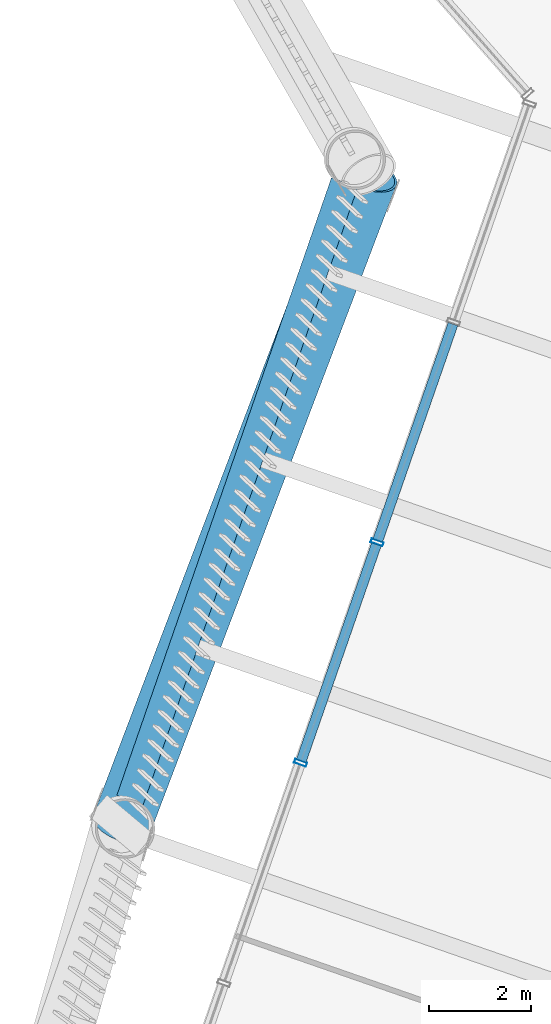
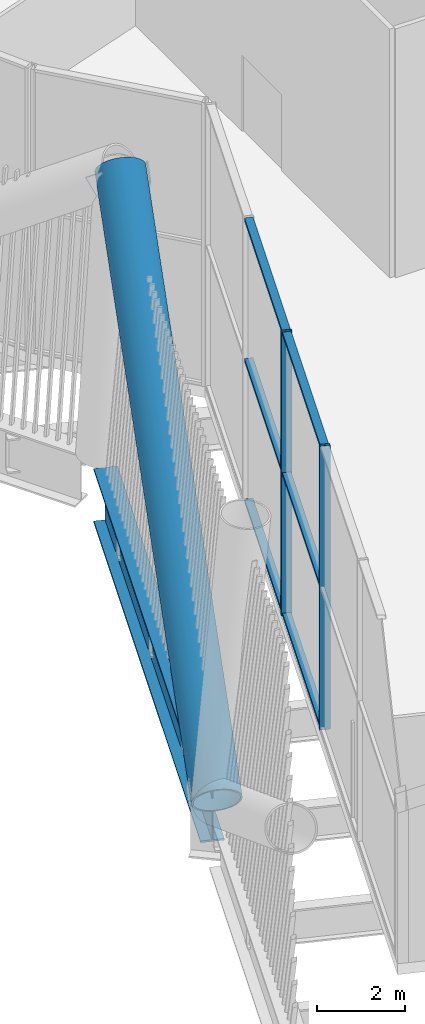
# One storey, part 3 of 63: 9 members, 1 beam, 1 element without a shape of its own.
"""IFC4 building model written with IfcOpenShell, lengths in metres."""

from ifc_helpers import new_model, si_unit, direction, frame, origin, origin_2d, place, context, subcontext, project, spatial, hollow_rectangle, hollow_circle, i_section, extrude, material, layer, layer_set, material_profile, profile_set, type_object, element, aggregate, save


model = new_model("IFC4")

# Units and contexts
model_context = context("Model", 3, precision=1e-05, world=origin(), true_north=direction((0.0, 1.0)))
body_context = subcontext(model_context, "Body", "Model", "MODEL_VIEW")
ifc_project = project(units=[si_unit("LENGTHUNIT", "METRE"), si_unit("AREAUNIT", "SQUARE_METRE"), si_unit("VOLUMEUNIT", "CUBIC_METRE"), si_unit("PLANEANGLEUNIT", "RADIAN"), si_unit("MASSUNIT", "GRAM", prefix="KILO")], contexts=[model_context])

# Site, building, storey
site_placement = place(None, origin())
site = spatial("IfcSite", under=ifc_project, at=site_placement, CompositionType="ELEMENT")
building_placement = place(site_placement, origin())
building = spatial("IfcBuilding", under=site, at=building_placement, Name="Tarsis Ring Headquarters", CompositionType="ELEMENT")
storey_placement = place(building_placement, frame((0.0, 0.0, 139.60009765625)))
storey = spatial("IfcBuildingStorey", under=building, at=storey_placement, Name="L32", CompositionType="ELEMENT", Elevation=139.60009765625)

# Curtain wall, members
ifc_material_1 = material(Name="Aluminium curtain wall", Category="aluminium")
ifc_layer = layer(ifc_material_1, 0.25)
ifc_layer_set = layer_set([ifc_layer], Name="Curtain wall sky lobby")
curtain_wall_type = type_object("IfcCurtainWallType", Name="Curtain wall sky lobby", PredefinedType="NOTDEFINED", material=ifc_layer_set)
curtain_wall_placement = place(storey_placement, origin())
curtain_wall = element("IfcCurtainWall", 1, at=curtain_wall_placement, inside=storey, type_object=curtain_wall_type, Name="Curtain wall L32-06", PredefinedType="NOTDEFINED")
ifc_material_2 = material(Name="Aluminium mullion", Category="aluminium")
ifc_material_profile_1 = material_profile(ifc_material_2, hollow_rectangle(XDim=0.25, YDim=0.080078125, WallThickness=0.0048828125, at=origin_2d()), Name="RHS 250x80x5")
ifc_profile_set_1 = profile_set([ifc_material_profile_1], Name="Aluminium mullion")
member_type_1 = type_object("IfcMemberType", Name="Curtain wall mullion sky lobby RHS 250x80x5", PredefinedType="MULLION", material=ifc_profile_set_1)
member_1_placement = place(storey_placement, frame((-21.71875, -26.326904296875, 0.0), z_axis=(0.0, 0.0, 1.0), x_axis=(0.94460574229, -0.328207238848, 0.0)))
member_1 = element("IfcMember", 2, at=member_1_placement, type_object=member_type_1, Name="CW-S mullion 3", PredefinedType="MULLION", context=body_context, shape_type="SweptSolid", body=[
    extrude(hollow_rectangle(XDim=0.25, YDim=0.080078125, WallThickness=0.0048828125, at=origin_2d()), origin(), (0.0, 0.0, 1.0), 7.83984375),
])
member_2_placement = place(storey_placement, frame((-23.223388671875, -30.657470703125, 0.0), z_axis=(0.0, 0.0, 1.0), x_axis=(0.94460574229, -0.328207238848, 0.0)))
member_2 = element("IfcMember", 3, at=member_2_placement, type_object=member_type_1, Name="CW-S mullion 4", PredefinedType="MULLION", context=body_context, shape_type="SweptSolid", body=[
    extrude(hollow_rectangle(XDim=0.25, YDim=0.080078125, WallThickness=0.0048828125, at=origin_2d()), origin(), (0.0, 0.0, 1.0), 7.83984375),
])
ifc_material_3 = material(Name="Aluminium transom", Category="aluminium")
ifc_material_profile_2 = material_profile(ifc_material_3, hollow_rectangle(XDim=0.199951171875, YDim=0.080078125, WallThickness=0.0048828125, at=origin_2d()), Name="RHS 200x80x5")
ifc_profile_set_2 = profile_set([ifc_material_profile_2], Name="Aluminium transom")
member_type_2 = type_object("IfcMemberType", Name="Curtain wall transom sky lobby RHS 200x80x5", PredefinedType="USERDEFINED", material=ifc_profile_set_2)
member_3_placement = place(storey_placement, frame((-20.227294921875, -22.0341796875, 0.039794921875), z_axis=(-0.328186350353, -0.944612999827, 0.0), x_axis=(0.944612999827, -0.328186350353, 0.0)))
member_3 = element("IfcMember", 4, at=member_3_placement, type_object=member_type_2, Name="CW-S transom 2.1", ObjectType="TRANSOM", PredefinedType="USERDEFINED", context=body_context, shape_type="SweptSolid", body=[
    extrude(hollow_rectangle(XDim=0.199951171875, YDim=0.080078125, WallThickness=0.0048828125, at=origin_2d()), origin(), (0.0, 0.0, 1.0), 4.50439453125),
])
member_4_placement = place(storey_placement, frame((-20.227294921875, -22.0341796875, 3.919921875), z_axis=(-0.328186350353, -0.944612999827, 0.0), x_axis=(0.944612999827, -0.328186350353, 0.0)))
member_4 = element("IfcMember", 5, at=member_4_placement, type_object=member_type_2, Name="CW-S transom 2.2", ObjectType="TRANSOM", PredefinedType="USERDEFINED", context=body_context, shape_type="SweptSolid", body=[
    extrude(hollow_rectangle(XDim=0.199951171875, YDim=0.080078125, WallThickness=0.0048828125, at=origin_2d()), origin(), (0.0, 0.0, 1.0), 4.50439453125),
])
member_5_placement = place(storey_placement, frame((-20.227294921875, -22.0341796875, 7.7998046875), z_axis=(-0.328186350353, -0.944612999827, 0.0), x_axis=(0.944612999827, -0.328186350353, 0.0)))
member_5 = element("IfcMember", 6, at=member_5_placement, type_object=member_type_2, Name="CW-S transom 2.3", ObjectType="TRANSOM", PredefinedType="USERDEFINED", context=body_context, shape_type="SweptSolid", body=[
    extrude(hollow_rectangle(XDim=0.199951171875, YDim=0.080078125, WallThickness=0.0048828125, at=origin_2d()), origin(), (0.0, 0.0, 1.0), 4.50439453125),
])
member_6_placement = place(storey_placement, frame((-21.73193359375, -26.36474609375, 0.039794921875), z_axis=(-0.328186350353, -0.944612999827, 0.0), x_axis=(0.944612999827, -0.328186350353, 0.0)))
member_6 = element("IfcMember", 7, at=member_6_placement, type_object=member_type_2, Name="CW-S transom 3.1", ObjectType="TRANSOM", PredefinedType="USERDEFINED", context=body_context, shape_type="SweptSolid", body=[
    extrude(hollow_rectangle(XDim=0.199951171875, YDim=0.080078125, WallThickness=0.0048828125, at=origin_2d()), origin(), (0.0, 0.0, 1.0), 4.50439453125),
])
member_7_placement = place(storey_placement, frame((-21.73193359375, -26.36474609375, 3.919921875), z_axis=(-0.328186350353, -0.944612999827, 0.0), x_axis=(0.944612999827, -0.328186350353, 0.0)))
member_7 = element("IfcMember", 8, at=member_7_placement, type_object=member_type_2, Name="CW-S transom 3.2", ObjectType="TRANSOM", PredefinedType="USERDEFINED", context=body_context, shape_type="SweptSolid", body=[
    extrude(hollow_rectangle(XDim=0.199951171875, YDim=0.080078125, WallThickness=0.0048828125, at=origin_2d()), origin(), (0.0, 0.0, 1.0), 4.50439453125),
])
member_8_placement = place(storey_placement, frame((-21.73193359375, -26.36474609375, 7.7998046875), z_axis=(-0.328186350353, -0.944612999827, 0.0), x_axis=(0.944612999827, -0.328186350353, 0.0)))
member_8 = element("IfcMember", 9, at=member_8_placement, type_object=member_type_2, Name="CW-S transom 3.3", ObjectType="TRANSOM", PredefinedType="USERDEFINED", context=body_context, shape_type="SweptSolid", body=[
    extrude(hollow_rectangle(XDim=0.199951171875, YDim=0.080078125, WallThickness=0.0048828125, at=origin_2d()), origin(), (0.0, 0.0, 1.0), 4.50439453125),
])
aggregate(curtain_wall, [member_1, member_2, member_3, member_4, member_5, member_6, member_7, member_8])

# Member
ifc_material_4 = material(Name="Structural steel S355", Category="steel")
ifc_material_profile_3 = material_profile(ifc_material_4, hollow_circle(Radius=0.584228515625, WallThickness=0.044921875, at=origin_2d()), Name="CHS 1168x45")
ifc_profile_set_3 = profile_set([ifc_material_profile_3], Name="Structural steel S355")
member_type_3 = type_object("IfcMemberType", Name="TD Belt truss diagonal CHS 1168x45", PredefinedType="BRACE", material=ifc_profile_set_3)
member_9_placement = place(storey_placement, frame((-26.74658203125, -31.885498046875, 0.0), z_axis=(0.306706417945, 0.806878073753, 0.504855372644), x_axis=(-0.934747897432, 0.355311649466, 0.0)))
element("IfcMember", 10, at=member_9_placement, inside=storey, type_object=member_type_3, Name="Belt truss diagonal TD3", PredefinedType="BRACE", context=body_context, shape_type="SweptSolid", body=[
    extrude(hollow_circle(Radius=0.584228515625, WallThickness=0.044921875, at=origin_2d()), origin(), (0.0, 0.0, 1.0), 15.84619140625),
])

# Beam
ifc_material_profile_4 = material_profile(ifc_material_4, i_section(OverallWidth=0.550048828125, OverallDepth=1.5, WebThickness=0.030029296875, FlangeThickness=0.050048828125, at=origin_2d()), Name="PG 1500x550x30x50")
ifc_profile_set_4 = profile_set([ifc_material_profile_4], Name="Structural steel S355")
beam_type = type_object("IfcBeamType", Name="XG Ring girder PG 1500x550x30x50", PredefinedType="BEAM", material=ifc_profile_set_4)
beam_placement = place(storey_placement, frame((-22.3564453125, -19.25, -0.75), z_axis=(-0.328211127341, -0.944604391208, 0.0), x_axis=(0.944604391208, -0.328211127341, 0.0)))
element("IfcBeam", 11, at=beam_placement, inside=storey, type_object=beam_type, Name="Ring girder XG6", PredefinedType="BEAM", context=body_context, shape_type="SweptSolid", body=[
    extrude(i_section(OverallWidth=0.550048828125, OverallDepth=1.5, WebThickness=0.030029296875, FlangeThickness=0.050048828125, at=origin_2d()), origin(), (0.0, 0.0, 1.0), 12.850830078125),
])

save(model, "model.ifc")
